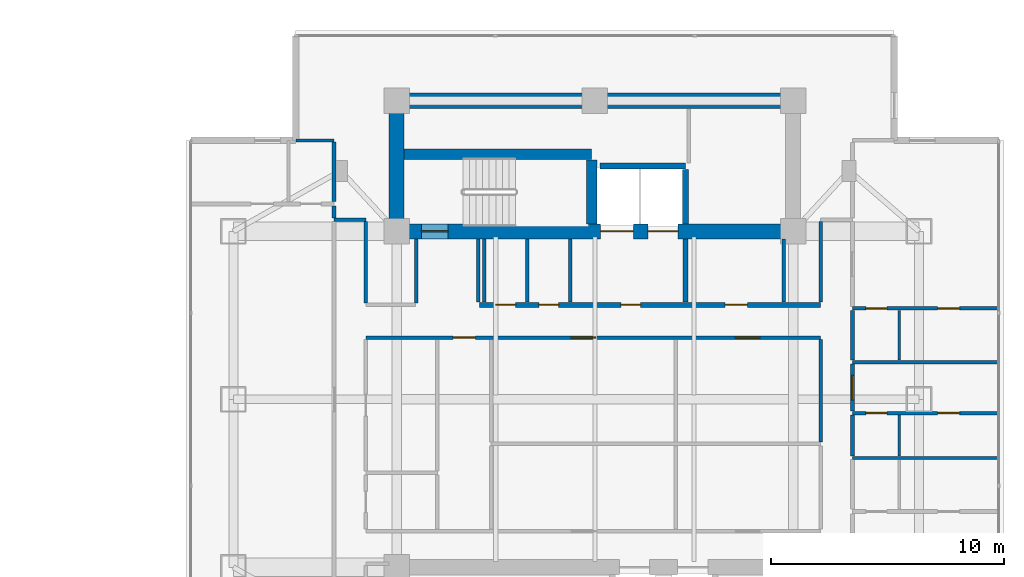
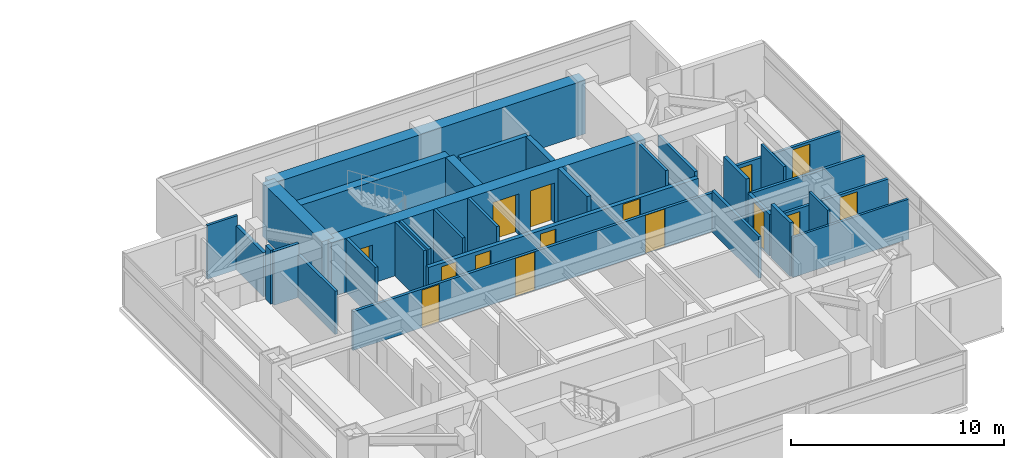
# One storey, part 19 of 27: 32 walls, 15 doors, 15 openings.
"""IFC4 building model written with IfcOpenShell, lengths in metres."""

from ifc_helpers import new_model, si_unit, direction, frame, frame_2d, origin, place, context, subcontext, project, spatial, rectangle, extrude, material, layer, layer_set, type_object, element, fill, save


model = new_model("IFC4")

# Units and contexts
model_context = context("Model", 3, precision=1e-05, world=origin(), true_north=direction((0.0, 1.0)))
body_context = subcontext(model_context, "Body", "Model", "MODEL_VIEW")
ifc_project = project(units=[si_unit("LENGTHUNIT", "METRE"), si_unit("AREAUNIT", "SQUARE_METRE"), si_unit("VOLUMEUNIT", "CUBIC_METRE"), si_unit("PLANEANGLEUNIT", "RADIAN"), si_unit("MASSUNIT", "GRAM", prefix="KILO")], contexts=[model_context])

# Site, building, storey
site_placement = place(None, origin())
site = spatial("IfcSite", under=ifc_project, at=site_placement, CompositionType="ELEMENT")
building_placement = place(site_placement, origin())
building = spatial("IfcBuilding", under=site, at=building_placement, Name="Mirazonda Arch Towers", CompositionType="ELEMENT")
storey_placement = place(building_placement, frame((0.0, 0.0, 124.699951171875)))
storey = spatial("IfcBuildingStorey", under=building, at=storey_placement, Name="L35", CompositionType="ELEMENT", Elevation=124.699951171875)

# Walls
ifc_material_1 = material(Name="Concrete C50/60", Category="concrete")
ifc_layer_1 = layer(ifc_material_1, 0.449951171875, Name="WALL-CORE-450")
ifc_layer_set_1 = layer_set([ifc_layer_1], Name="Concrete C50/60")
wall_type_1 = type_object("IfcWallType", Name="WALL-CORE-450", PredefinedType="SHEAR", material=ifc_layer_set_1)
wall_1_placement = place(storey_placement, frame((68.320068359375, 38.5, 0.0), z_axis=(0.0, 0.0, 1.0), x_axis=(1.0, 0.0, 0.0)))
element("IfcWall", 1, at=wall_1_placement, inside=storey, type_object=wall_type_1, Name="L35 Stair Core Shear Wall 051", PredefinedType="SHEAR", context=body_context, shape_type="SweptSolid", body=[
    extrude(rectangle(XDim=8.0400390625, YDim=0.449951171875, at=frame_2d((4.02001953125, 0.0))), origin(), (0.0, 0.0, 1.0), 3.080078125),
])
wall_2_placement = place(storey_placement, frame((76.360107421875, 35.52001953125, 0.0), z_axis=(0.0, 0.0, 1.0), x_axis=(0.0, 1.0, 0.0)))
element("IfcWall", 2, at=wall_2_placement, inside=storey, type_object=wall_type_1, Name="L35 Stair Core Shear Wall 132", PredefinedType="SHEAR", context=body_context, shape_type="SweptSolid", body=[
    extrude(rectangle(XDim=2.744873046875, YDim=0.449951171875, at=frame_2d((1.37255859375, 0.0))), origin(), (0.0, 0.0, 1.0), 3.080078125),
])
ifc_material_2 = material(Name="Concrete C60/75", Category="concrete")
ifc_layer_2 = layer(ifc_material_2, 0.64990234375, Name="WALL-CORE-650")
ifc_layer_set_2 = layer_set([ifc_layer_2], Name="Concrete C60/75")
wall_type_2 = type_object("IfcWallType", Name="WALL-CORE-650", PredefinedType="SHEAR", material=ifc_layer_set_2)
wall_3_placement = place(storey_placement, frame((68.0, 40.800048828125, 0.0), z_axis=(0.0, 0.0, 1.0), x_axis=(1.0, 0.0, 0.0)))
element("IfcWall", 3, at=wall_3_placement, inside=storey, type_object=wall_type_2, Name="L35 T2N-N Core Shear Wall", PredefinedType="SHEAR", context=body_context, shape_type="SweptSolid", body=[
    extrude(rectangle(XDim=17.0, YDim=0.64990234375, at=frame_2d((8.5, 0.0))), origin(), (0.0, 0.0, 1.0), 3.080078125),
])
wall_4_placement = place(storey_placement, frame((68.0, 35.199951171875, 0.0), z_axis=(0.0, 0.0, 1.0), x_axis=(0.0, 1.0, 0.0)))
element("IfcWall", 4, at=wall_4_placement, inside=storey, type_object=wall_type_2, Name="L35 T2N-W Core Shear Wall", PredefinedType="SHEAR", context=body_context, shape_type="SweptSolid", body=[
    extrude(rectangle(XDim=5.60009765625, YDim=0.64990234375, at=frame_2d((2.800048828125, 0.0))), origin(), (0.0, 0.0, 1.0), 3.080078125),
])

# Wall, openings, doors
wall_5_placement = place(storey_placement, frame((68.0, 35.199951171875, 0.0), z_axis=(0.0, 0.0, 1.0), x_axis=(1.0, 0.0, 0.0)))
wall_5 = element("IfcWall", 5, at=wall_5_placement, inside=storey, type_object=wall_type_2, Name="L35 T2N-S Core Shear Wall", PredefinedType="SHEAR", context=body_context, shape_type="SweptSolid", body=[
    extrude(rectangle(XDim=17.0, YDim=0.64990234375, at=frame_2d((8.5, 0.0))), origin(), (0.0, 0.0, 1.0), 3.080078125),
])
opening_1_placement = place(wall_5_placement, frame((1.06005859375, 0.0, 0.0)))
opening_1 = element("IfcOpeningElement", 6, at=opening_1_placement, cuts=wall_5, Name="Opening DR-135", PredefinedType="OPENING", context=body_context, shape_type="SweptSolid", body=[
    extrude(rectangle(XDim=1.14990234375, YDim=2.199951171875, at=frame_2d((0.574951171875, 1.10009765625))), frame((0.0, 0.3349609375, 0.0), z_axis=(0.0, -1.0, 0.0), x_axis=(1.0, 0.0, 0.0)), (0.0, 0.0, 1.0), 0.669921875),
])
opening_2_placement = place(wall_5_placement, frame((8.75, 0.0, 0.0)))
opening_2 = element("IfcOpeningElement", 7, at=opening_2_placement, cuts=wall_5, Name="Opening LD-112", PredefinedType="OPENING", context=body_context, shape_type="SweptSolid", body=[
    extrude(rectangle(XDim=1.39990234375, YDim=2.35009765625, at=frame_2d((0.699951171875, 1.175048828125))), frame((0.0, 0.3349609375, 0.0), z_axis=(0.0, -1.0, 0.0), x_axis=(1.0, 0.0, 0.0)), (0.0, 0.0, 1.0), 0.669921875),
])
opening_3_placement = place(wall_5_placement, frame((10.77001953125, 0.0, 0.0)))
opening_3 = element("IfcOpeningElement", 8, at=opening_3_placement, cuts=wall_5, Name="Opening LD-111", PredefinedType="OPENING", context=body_context, shape_type="SweptSolid", body=[
    extrude(rectangle(XDim=1.300048828125, YDim=2.300048828125, at=frame_2d((0.64990234375, 1.14990234375))), frame((0.0, 0.3349609375, 0.0), z_axis=(0.0, -1.0, 0.0), x_axis=(1.0, 0.0, 0.0)), (0.0, 0.0, 1.0), 0.669921875),
])
ifc_material_3 = material(Name="Architectural Brushed Steel S355", Category="steel")
door_type_1 = type_object("IfcDoorType", Name="DOOR-LIFT-FFL-1400", OperationType="NOTDEFINED", PredefinedType="DOOR", material=ifc_material_3)
door_1_placement = place(opening_2_placement, origin())
door_1 = element("IfcDoor", 9, at=door_1_placement, inside=storey, type_object=door_type_1, Name="L35 Lift Landing Sliding Door FFL-T2", OperationType="DOUBLE_DOOR_SLIDING", OverallHeight=2.35009765625, OverallWidth=1.39990234375, PredefinedType="DOOR", context=body_context, shape_type="SweptSolid", body=[
    extrude(rectangle(XDim=1.39990234375, YDim=2.35009765625, at=frame_2d((0.699951171875, 1.175048828125))), frame((0.0, 0.02490234375, 0.0), z_axis=(0.0, -1.0, 0.0), x_axis=(1.0, 0.0, 0.0)), (0.0, 0.0, 1.0), 0.050048828125),
])
fill(opening_2, door_1)
door_type_2 = type_object("IfcDoorType", Name="DOOR-LIFT-LAND-1300", OperationType="NOTDEFINED", PredefinedType="DOOR", material=ifc_material_3)
door_2_placement = place(opening_3_placement, origin())
door_2 = element("IfcDoor", 10, at=door_2_placement, inside=storey, type_object=door_type_2, Name="L35 Lift Landing Sliding Door SVL-T2", OperationType="DOUBLE_DOOR_SLIDING", OverallHeight=2.300048828125, OverallWidth=1.300048828125, PredefinedType="DOOR", context=body_context, shape_type="SweptSolid", body=[
    extrude(rectangle(XDim=1.300048828125, YDim=2.300048828125, at=frame_2d((0.64990234375, 1.14990234375))), frame((0.0, 0.02490234375, 0.0), z_axis=(0.0, -1.0, 0.0), x_axis=(1.0, 0.0, 0.0)), (0.0, 0.0, 1.0), 0.050048828125),
])
fill(opening_3, door_2)
door_type_3 = type_object("IfcDoorType", Name="DOOR-STAIR-FD90-1150", OperationType="NOTDEFINED", PredefinedType="DOOR", material=ifc_material_3)
door_3_placement = place(opening_1_placement, origin())
door_3 = element("IfcDoor", 11, at=door_3_placement, inside=storey, type_object=door_type_3, Name="L35 East Protected Stair North Door", OperationType="SINGLE_SWING_RIGHT", OverallHeight=2.199951171875, OverallWidth=1.14990234375, PredefinedType="DOOR", context=body_context, shape_type="SweptSolid", body=[
    extrude(rectangle(XDim=1.14990234375, YDim=2.199951171875, at=frame_2d((0.574951171875, 1.10009765625))), frame((0.0, 0.02490234375, 0.0), z_axis=(0.0, -1.0, 0.0), x_axis=(1.0, 0.0, 0.0)), (0.0, 0.0, 1.0), 0.050048828125),
])
fill(opening_1, door_3)

ifc_material_4 = material(Name="Concrete C40/50", Category="concrete")
ifc_layer_3 = layer(ifc_material_4, 0.219970703125, Name="WALL-FFL-220")
ifc_layer_set_3 = layer_set([ifc_layer_3], Name="Concrete C40/50")
wall_type_3 = type_object("IfcWallType", Name="WALL-FFL-220", PredefinedType="SOLIDWALL", material=ifc_layer_set_3)
wall_6_placement = place(storey_placement, frame((71.550048828125, 32.050048828125, 0.0), z_axis=(0.0, 0.0, 1.0), x_axis=(1.0, 0.0, 0.0)))
wall_6 = element("IfcWall", 12, at=wall_6_placement, inside=storey, type_object=wall_type_3, Name="L35 Interior Partition 042", PredefinedType="SOLIDWALL", context=body_context, shape_type="SweptSolid", body=[
    extrude(rectangle(XDim=14.6298828125, YDim=0.219970703125, at=frame_2d((7.31494140625, 0.0))), origin(), (0.0, 0.0, 1.0), 2.216064453125),
])
opening_4_placement = place(wall_6_placement, frame((6.06494140625, 0.0, 0.0)))
opening_4 = element("IfcOpeningElement", 13, at=opening_4_placement, cuts=wall_6, Name="Opening DR-128", PredefinedType="OPENING", context=body_context, shape_type="SweptSolid", body=[
    extrude(rectangle(XDim=0.85009765625, YDim=2.010009765625, at=frame_2d((0.425048828125, 1.0048828125))), frame((0.0, 0.119873046875, 0.0), z_axis=(0.0, -1.0, 0.0), x_axis=(1.0, 0.0, 0.0)), (0.0, 0.0, 1.0), 0.239990234375),
])
opening_5_placement = place(wall_6_placement, frame((10.534912109375, 0.0, 0.0)))
opening_5 = element("IfcOpeningElement", 14, at=opening_5_placement, cuts=wall_6, Name="Opening DR-104", PredefinedType="OPENING", context=body_context, shape_type="SweptSolid", body=[
    extrude(rectangle(XDim=0.949951171875, YDim=2.14990234375, at=frame_2d((0.47509765625, 1.074951171875))), frame((0.0, 0.119873046875, 0.0), z_axis=(0.0, -1.0, 0.0), x_axis=(1.0, 0.0, 0.0)), (0.0, 0.0, 1.0), 0.239990234375),
])
opening_6_placement = place(wall_6_placement, frame((0.699951171875, 0.0, 0.0)))
opening_6 = element("IfcOpeningElement", 15, at=opening_6_placement, cuts=wall_6, Name="Opening DR-128", PredefinedType="OPENING", context=body_context, shape_type="SweptSolid", body=[
    extrude(rectangle(XDim=0.85009765625, YDim=2.010009765625, at=frame_2d((0.425048828125, 1.0048828125))), frame((0.0, 0.119873046875, 0.0), z_axis=(0.0, -1.0, 0.0), x_axis=(1.0, 0.0, 0.0)), (0.0, 0.0, 1.0), 0.239990234375),
])
opening_7_placement = place(wall_6_placement, frame((2.550048828125, 0.0, 0.0)))
opening_7 = element("IfcOpeningElement", 16, at=opening_7_placement, cuts=wall_6, Name="Opening DR-128", PredefinedType="OPENING", context=body_context, shape_type="SweptSolid", body=[
    extrude(rectangle(XDim=0.85009765625, YDim=2.010009765625, at=frame_2d((0.425048828125, 1.0048828125))), frame((0.0, 0.119873046875, 0.0), z_axis=(0.0, -1.0, 0.0), x_axis=(1.0, 0.0, 0.0)), (0.0, 0.0, 1.0), 0.239990234375),
])
door_type_4 = type_object("IfcDoorType", Name="DOOR-RISER-FD60-850", OperationType="NOTDEFINED", PredefinedType="DOOR", material=ifc_material_3)
door_4_placement = place(opening_4_placement, origin())
door_4 = element("IfcDoor", 17, at=door_4_placement, inside=storey, type_object=door_type_4, Name="L35 East Firefighting Lift Lobby Door", OperationType="SINGLE_SWING_LEFT", OverallHeight=2.010009765625, OverallWidth=0.85009765625, PredefinedType="DOOR", context=body_context, shape_type="SweptSolid", body=[
    extrude(rectangle(XDim=0.85009765625, YDim=2.010009765625, at=frame_2d((0.425048828125, 1.0048828125))), frame((0.0, 0.02490234375, 0.0), z_axis=(0.0, -1.0, 0.0), x_axis=(1.0, 0.0, 0.0)), (0.0, 0.0, 1.0), 0.050048828125),
])
fill(opening_4, door_4)
door_5_placement = place(opening_6_placement, origin())
door_5 = element("IfcDoor", 18, at=door_5_placement, inside=storey, type_object=door_type_4, Name="L35 Tower 2 Electrical Room Door", OperationType="SINGLE_SWING_LEFT", OverallHeight=2.010009765625, OverallWidth=0.85009765625, PredefinedType="DOOR", context=body_context, shape_type="SweptSolid", body=[
    extrude(rectangle(XDim=0.85009765625, YDim=2.010009765625, at=frame_2d((0.425048828125, 1.0048828125))), frame((0.0, 0.02490234375, 0.0), z_axis=(0.0, -1.0, 0.0), x_axis=(1.0, 0.0, 0.0)), (0.0, 0.0, 1.0), 0.050048828125),
])
fill(opening_6, door_5)
door_6_placement = place(opening_7_placement, origin())
door_6 = element("IfcDoor", 19, at=door_6_placement, inside=storey, type_object=door_type_4, Name="L35 Tower 2 Cleaners Store Door", OperationType="SINGLE_SWING_RIGHT", OverallHeight=2.010009765625, OverallWidth=0.85009765625, PredefinedType="DOOR", context=body_context, shape_type="SweptSolid", body=[
    extrude(rectangle(XDim=0.85009765625, YDim=2.010009765625, at=frame_2d((0.425048828125, 1.0048828125))), frame((0.0, 0.02490234375, 0.0), z_axis=(0.0, -1.0, 0.0), x_axis=(1.0, 0.0, 0.0)), (0.0, 0.0, 1.0), 0.050048828125),
])
fill(opening_7, door_6)
door_type_5 = type_object("IfcDoorType", Name="DOOR-ROOM-950", OperationType="NOTDEFINED", PredefinedType="DOOR", material=ifc_material_3)
door_7_placement = place(opening_5_placement, origin())
door_7 = element("IfcDoor", 20, at=door_7_placement, inside=storey, type_object=door_type_5, Name="L35 East Sky Reading Library Door", OperationType="SINGLE_SWING_RIGHT", OverallHeight=2.14990234375, OverallWidth=0.949951171875, PredefinedType="DOOR", context=body_context, shape_type="SweptSolid", body=[
    extrude(rectangle(XDim=0.949951171875, YDim=2.14990234375, at=frame_2d((0.47509765625, 1.074951171875))), frame((0.0, 0.02490234375, 0.0), z_axis=(0.0, -1.0, 0.0), x_axis=(1.0, 0.0, 0.0)), (0.0, 0.0, 1.0), 0.050048828125),
])
fill(opening_5, door_7)

# Wall
wall_7_placement = place(storey_placement, frame((80.3798828125, 32.169921875, 0.0), z_axis=(0.0, 0.0, 1.0), x_axis=(0.0, 1.0, 0.0)))
element("IfcWall", 21, at=wall_7_placement, inside=storey, type_object=wall_type_3, Name="L35 Interior Partition 136", PredefinedType="SOLIDWALL", context=body_context, shape_type="SweptSolid", body=[
    extrude(rectangle(XDim=2.7099609375, YDim=0.219970703125, at=frame_2d((1.35498046875, 0.0))), origin(), (0.0, 0.0, 1.0), 3.080078125),
])

# Wall, openings, doors
ifc_material_5 = material(Name="Fire-Rated Gypsum Stud Partition")
ifc_layer_4 = layer(ifc_material_5, 0.14990234375, Name="WALL-PART-CORR-150")
ifc_layer_set_4 = layer_set([ifc_layer_4], Name="Fire-Rated Gypsum Stud Partition")
wall_type_4 = type_object("IfcWallType", Name="WALL-PART-CORR-150", PredefinedType="PARTITIONING", material=ifc_layer_set_4)
wall_8_placement = place(storey_placement, frame((87.5400390625, 27.412109375, 0.0), z_axis=(0.0, 0.0, 1.0), x_axis=(1.0, 0.0, 0.0)))
wall_8 = element("IfcWall", 22, at=wall_8_placement, inside=storey, type_object=wall_type_4, Name="L35 Interior Partition 034", PredefinedType="PARTITIONING", context=body_context, shape_type="SweptSolid", body=[
    extrude(rectangle(XDim=6.281005859375, YDim=0.14990234375, at=frame_2d((3.140625, 0.0))), origin(), (0.0, 0.0, 1.0), 2.299072265625),
])
opening_8_placement = place(wall_8_placement, frame((3.650390625, 0.0, 0.0)))
opening_8 = element("IfcOpeningElement", 23, at=opening_8_placement, cuts=wall_8, Name="Opening DR-104", PredefinedType="OPENING", context=body_context, shape_type="SweptSolid", body=[
    extrude(rectangle(XDim=0.949951171875, YDim=2.14990234375, at=frame_2d((0.47509765625, 1.074951171875))), frame((0.0, 0.0849609375, 0.0), z_axis=(0.0, -1.0, 0.0), x_axis=(1.0, 0.0, 0.0)), (0.0, 0.0, 1.0), 0.169921875),
])
opening_9_placement = place(wall_8_placement, frame((0.574951171875, 0.0, 0.0)))
opening_9 = element("IfcOpeningElement", 24, at=opening_9_placement, cuts=wall_8, Name="Opening DR-120", PredefinedType="OPENING", context=body_context, shape_type="SweptSolid", body=[
    extrude(rectangle(XDim=0.89990234375, YDim=2.10009765625, at=frame_2d((0.449951171875, 1.050048828125))), frame((0.0, 0.0849609375, 0.0), z_axis=(0.0, -1.0, 0.0), x_axis=(1.0, 0.0, 0.0)), (0.0, 0.0, 1.0), 0.169921875),
])
door_8_placement = place(opening_8_placement, origin())
door_8 = element("IfcDoor", 25, at=door_8_placement, inside=storey, type_object=door_type_5, Name="L35 Guestroom Study 2 Door", OperationType="SINGLE_SWING_RIGHT", OverallHeight=2.14990234375, OverallWidth=0.949951171875, PredefinedType="DOOR", context=body_context, shape_type="SweptSolid", body=[
    extrude(rectangle(XDim=0.949951171875, YDim=2.14990234375, at=frame_2d((0.47509765625, 1.074951171875))), frame((0.0, 0.02490234375, 0.0), z_axis=(0.0, -1.0, 0.0), x_axis=(1.0, 0.0, 0.0)), (0.0, 0.0, 1.0), 0.050048828125),
])
fill(opening_8, door_8)
door_type_6 = type_object("IfcDoorType", Name="DOOR-WC-900", OperationType="NOTDEFINED", PredefinedType="DOOR", material=ifc_material_3)
door_9_placement = place(opening_9_placement, origin())
door_9 = element("IfcDoor", 26, at=door_9_placement, inside=storey, type_object=door_type_6, Name="L35 En-Suite Bathroom 2 Door", OperationType="SINGLE_SWING_LEFT", OverallHeight=2.10009765625, OverallWidth=0.89990234375, PredefinedType="DOOR", context=body_context, shape_type="SweptSolid", body=[
    extrude(rectangle(XDim=0.89990234375, YDim=2.10009765625, at=frame_2d((0.449951171875, 1.050048828125))), frame((0.0, 0.02490234375, 0.0), z_axis=(0.0, -1.0, 0.0), x_axis=(1.0, 0.0, 0.0)), (0.0, 0.0, 1.0), 0.050048828125),
])
fill(opening_9, door_9)

# Wall
wall_9_placement = place(storey_placement, frame((87.5400390625, 29.595947265625, 0.0), z_axis=(0.0, 0.0, 1.0), x_axis=(1.0, 0.0, 0.0)))
element("IfcWall", 27, at=wall_9_placement, inside=storey, type_object=wall_type_4, Name="L35 Interior Partition 037", PredefinedType="PARTITIONING", context=body_context, shape_type="SweptSolid", body=[
    extrude(rectangle(XDim=6.281005859375, YDim=0.14990234375, at=frame_2d((3.140625, 0.0))), origin(), (0.0, 0.0, 1.0), 2.299072265625),
])

# Wall, openings, doors
wall_10_placement = place(storey_placement, frame((66.679931640625, 30.64990234375, 0.0), z_axis=(0.0, 0.0, 1.0), x_axis=(1.0, 0.0, 0.0)))
wall_10 = element("IfcWall", 28, at=wall_10_placement, inside=storey, type_object=wall_type_4, Name="L35 Interior Partition 038", PredefinedType="PARTITIONING", context=body_context, shape_type="SweptSolid", body=[
    extrude(rectangle(XDim=19.5, YDim=0.14990234375, at=frame_2d((9.75, 0.0))), origin(), (0.0, 0.0, 1.0), 2.216064453125),
])
opening_10_placement = place(wall_10_placement, frame((3.7451171875, 0.0, 0.0)))
opening_10 = element("IfcOpeningElement", 29, at=opening_10_placement, cuts=wall_10, Name="Opening DR-104", PredefinedType="OPENING", context=body_context, shape_type="SweptSolid", body=[
    extrude(rectangle(XDim=0.949951171875, YDim=2.14990234375, at=frame_2d((0.47509765625, 1.074951171875))), frame((0.0, 0.0849609375, 0.0), z_axis=(0.0, -1.0, 0.0), x_axis=(1.0, 0.0, 0.0)), (0.0, 0.0, 1.0), 0.169921875),
])
opening_11_placement = place(wall_10_placement, frame((8.801513671875, 0.0, 0.0)))
opening_11 = element("IfcOpeningElement", 30, at=opening_11_placement, cuts=wall_10, Name="Opening DR-121", PredefinedType="OPENING", context=body_context, shape_type="SweptSolid", body=[
    extrude(rectangle(XDim=1.050048828125, YDim=2.199951171875, at=frame_2d((0.52490234375, 1.10009765625))), frame((0.0, 0.0849609375, 0.0), z_axis=(0.0, -1.0, 0.0), x_axis=(1.0, 0.0, 0.0)), (0.0, 0.0, 1.0), 0.169921875),
])
opening_12_placement = place(wall_10_placement, frame((15.846435546875, 0.0, 0.0)))
opening_12 = element("IfcOpeningElement", 31, at=opening_12_placement, cuts=wall_10, Name="Opening DR-121", PredefinedType="OPENING", context=body_context, shape_type="SweptSolid", body=[
    extrude(rectangle(XDim=1.050048828125, YDim=2.199951171875, at=frame_2d((0.52490234375, 1.10009765625))), frame((0.0, 0.0849609375, 0.0), z_axis=(0.0, -1.0, 0.0), x_axis=(1.0, 0.0, 0.0)), (0.0, 0.0, 1.0), 0.169921875),
])
door_10_placement = place(opening_10_placement, origin())
door_10 = element("IfcDoor", 32, at=door_10_placement, inside=storey, type_object=door_type_5, Name="L35 L35 East Courtyard Study Door", OperationType="SINGLE_SWING_RIGHT", OverallHeight=2.14990234375, OverallWidth=0.949951171875, PredefinedType="DOOR", context=body_context, shape_type="SweptSolid", body=[
    extrude(rectangle(XDim=0.949951171875, YDim=2.14990234375, at=frame_2d((0.47509765625, 1.074951171875))), frame((0.0, 0.02490234375, 0.0), z_axis=(0.0, -1.0, 0.0), x_axis=(1.0, 0.0, 0.0)), (0.0, 0.0, 1.0), 0.050048828125),
])
fill(opening_10, door_10)
door_type_7 = type_object("IfcDoorType", Name="DOOR-SUITE-FD60-1050", OperationType="NOTDEFINED", PredefinedType="DOOR", material=ifc_material_3)
door_11_placement = place(opening_11_placement, origin())
door_11 = element("IfcDoor", 33, at=door_11_placement, inside=storey, type_object=door_type_7, Name="L35 Concierge Salon Door", OperationType="SINGLE_SWING_LEFT", OverallHeight=2.199951171875, OverallWidth=1.050048828125, PredefinedType="DOOR", context=body_context, shape_type="SweptSolid", body=[
    extrude(rectangle(XDim=1.050048828125, YDim=2.199951171875, at=frame_2d((0.52490234375, 1.10009765625))), frame((0.0, 0.02490234375, 0.0), z_axis=(0.0, -1.0, 0.0), x_axis=(1.0, 0.0, 0.0)), (0.0, 0.0, 1.0), 0.050048828125),
])
fill(opening_11, door_11)
door_12_placement = place(opening_12_placement, origin())
door_12 = element("IfcDoor", 34, at=door_12_placement, inside=storey, type_object=door_type_7, Name="L35 Private Meeting Suite Door", OperationType="SINGLE_SWING_RIGHT", OverallHeight=2.199951171875, OverallWidth=1.050048828125, PredefinedType="DOOR", context=body_context, shape_type="SweptSolid", body=[
    extrude(rectangle(XDim=1.050048828125, YDim=2.199951171875, at=frame_2d((0.52490234375, 1.10009765625))), frame((0.0, 0.02490234375, 0.0), z_axis=(0.0, -1.0, 0.0), x_axis=(1.0, 0.0, 0.0)), (0.0, 0.0, 1.0), 0.050048828125),
])
fill(opening_12, door_12)

wall_11_placement = place(storey_placement, frame((87.5400390625, 31.89599609375, 0.0), z_axis=(0.0, 0.0, 1.0), x_axis=(1.0, 0.0, 0.0)))
wall_11 = element("IfcWall", 35, at=wall_11_placement, inside=storey, type_object=wall_type_4, Name="L35 Interior Partition 040", PredefinedType="PARTITIONING", context=body_context, shape_type="SweptSolid", body=[
    extrude(rectangle(XDim=6.281005859375, YDim=0.14990234375, at=frame_2d((3.140625, 0.0))), origin(), (0.0, 0.0, 1.0), 2.299072265625),
])
opening_13_placement = place(wall_11_placement, frame((3.650390625, 0.0, 0.0)))
opening_13 = element("IfcOpeningElement", 36, at=opening_13_placement, cuts=wall_11, Name="Opening DR-104", PredefinedType="OPENING", context=body_context, shape_type="SweptSolid", body=[
    extrude(rectangle(XDim=0.949951171875, YDim=2.14990234375, at=frame_2d((0.47509765625, 1.074951171875))), frame((0.0, 0.0849609375, 0.0), z_axis=(0.0, -1.0, 0.0), x_axis=(1.0, 0.0, 0.0)), (0.0, 0.0, 1.0), 0.169921875),
])
opening_14_placement = place(wall_11_placement, frame((0.574951171875, 0.0, 0.0)))
opening_14 = element("IfcOpeningElement", 37, at=opening_14_placement, cuts=wall_11, Name="Opening DR-120", PredefinedType="OPENING", context=body_context, shape_type="SweptSolid", body=[
    extrude(rectangle(XDim=0.89990234375, YDim=2.10009765625, at=frame_2d((0.449951171875, 1.050048828125))), frame((0.0, 0.0849609375, 0.0), z_axis=(0.0, -1.0, 0.0), x_axis=(1.0, 0.0, 0.0)), (0.0, 0.0, 1.0), 0.169921875),
])
door_13_placement = place(opening_13_placement, origin())
door_13 = element("IfcDoor", 38, at=door_13_placement, inside=storey, type_object=door_type_5, Name="L35 Guestroom Study 3 Door", OperationType="SINGLE_SWING_LEFT", OverallHeight=2.14990234375, OverallWidth=0.949951171875, PredefinedType="DOOR", context=body_context, shape_type="SweptSolid", body=[
    extrude(rectangle(XDim=0.949951171875, YDim=2.14990234375, at=frame_2d((0.47509765625, 1.074951171875))), frame((0.0, 0.02490234375, 0.0), z_axis=(0.0, -1.0, 0.0), x_axis=(1.0, 0.0, 0.0)), (0.0, 0.0, 1.0), 0.050048828125),
])
fill(opening_13, door_13)
door_14_placement = place(opening_14_placement, origin())
door_14 = element("IfcDoor", 39, at=door_14_placement, inside=storey, type_object=door_type_6, Name="L35 En-Suite Bathroom 3 Door", OperationType="SINGLE_SWING_RIGHT", OverallHeight=2.10009765625, OverallWidth=0.89990234375, PredefinedType="DOOR", context=body_context, shape_type="SweptSolid", body=[
    extrude(rectangle(XDim=0.89990234375, YDim=2.10009765625, at=frame_2d((0.449951171875, 1.050048828125))), frame((0.0, 0.02490234375, 0.0), z_axis=(0.0, -1.0, 0.0), x_axis=(1.0, 0.0, 0.0)), (0.0, 0.0, 1.0), 0.050048828125),
])
fill(opening_14, door_14)

# Walls
wall_12_placement = place(storey_placement, frame((65.320068359375, 35.699951171875, 0.0), z_axis=(0.0, 0.0, 1.0), x_axis=(1.0, 0.0, 0.0)))
element("IfcWall", 40, at=wall_12_placement, inside=storey, type_object=wall_type_4, Name="L35 Interior Partition 047", PredefinedType="PARTITIONING", context=body_context, shape_type="SweptSolid", body=[
    extrude(rectangle(XDim=1.35986328125, YDim=0.14990234375, at=frame_2d((0.679931640625, 0.0))), origin(), (0.0, 0.0, 1.0), 3.080078125),
])
wall_13_placement = place(storey_placement, frame((66.679931640625, 32.135009765625, 0.0), z_axis=(0.0, 0.0, 1.0), x_axis=(0.0, 1.0, 0.0)))
element("IfcWall", 41, at=wall_13_placement, inside=storey, type_object=wall_type_4, Name="L35 Interior Partition 121", PredefinedType="PARTITIONING", context=body_context, shape_type="SweptSolid", body=[
    extrude(rectangle(XDim=3.47998046875, YDim=0.14990234375, at=frame_2d((1.739990234375, 0.0))), origin(), (0.0, 0.0, 1.0), 2.47216796875),
])
wall_14_placement = place(storey_placement, frame((68.85009765625, 32.135009765625, 0.0), z_axis=(0.0, 0.0, 1.0), x_axis=(0.0, 1.0, 0.0)))
element("IfcWall", 42, at=wall_14_placement, inside=storey, type_object=wall_type_4, Name="L35 Interior Partition 122", PredefinedType="PARTITIONING", context=body_context, shape_type="SweptSolid", body=[
    extrude(rectangle(XDim=2.744873046875, YDim=0.14990234375, at=frame_2d((1.37255859375, 0.0))), origin(), (0.0, 0.0, 1.0), 3.080078125),
])
for number, where, z_axis, x_axis, name in (
    (43, (71.5, 32.169921875, 0.0), (0.0, 0.0, 1.0), (0.0, 1.0, 0.0), "L35 Interior Partition 125"),
    (44, (71.75, 32.169921875, 0.0), (0.0, 0.0, 1.0), (0.0, 1.0, 0.0), "L35 Interior Partition 126"),
    (45, (73.60009765625, 32.169921875, 0.0), (0.0, 0.0, 1.0), (0.0, 1.0, 0.0), "L35 Interior Partition 129"),
    (46, (75.449951171875, 32.169921875, 0.0), (0.0, 0.0, 1.0), (0.0, 1.0, 0.0), "L35 Interior Partition 130"),
    (47, (84.60009765625, 32.169921875, 0.0), (0.0, 0.0, 1.0), (0.0, 1.0, 0.0), "L35 Interior Partition 140"),
):
    element("IfcWall", number, at=place(storey_placement, frame(where, z_axis=z_axis, x_axis=x_axis)), inside=storey, type_object=wall_type_4, Name=name, PredefinedType="PARTITIONING", context=body_context, shape_type="SweptSolid", body=[
        extrude(rectangle(XDim=2.7099609375, YDim=0.14990234375, at=frame_2d((1.35498046875, 0.0))), origin(), (0.0, 0.0, 1.0), 3.080078125),
    ])
wall_15_placement = place(storey_placement, frame((86.179931640625, 26.169921875, 0.0), z_axis=(0.0, 0.0, 1.0), x_axis=(0.0, 1.0, 0.0)))
element("IfcWall", 48, at=wall_15_placement, inside=storey, type_object=wall_type_4, Name="L35 Interior Partition 143", PredefinedType="PARTITIONING", context=body_context, shape_type="SweptSolid", body=[
    extrude(rectangle(XDim=4.39501953125, YDim=0.14990234375, at=frame_2d((2.197509765625, 0.0))), origin(), (0.0, 0.0, 1.0), 2.3759765625),
])
wall_16_placement = place(storey_placement, frame((86.179931640625, 32.169921875, 0.0), z_axis=(0.0, 0.0, 1.0), x_axis=(0.0, 1.0, 0.0)))
element("IfcWall", 49, at=wall_16_placement, inside=storey, type_object=wall_type_4, Name="L35 Interior Partition 144", PredefinedType="PARTITIONING", context=body_context, shape_type="SweptSolid", body=[
    extrude(rectangle(XDim=3.445068359375, YDim=0.14990234375, at=frame_2d((1.72265625, 0.0))), origin(), (0.0, 0.0, 1.0), 2.47216796875),
])
ifc_material_6 = material(Name="Fire-Rated Gypsum Twin-Stud Assembly")
ifc_layer_5 = layer(ifc_material_6, 0.179931640625, Name="WALL-PART-DEMISE-180")
ifc_layer_set_5 = layer_set([ifc_layer_5], Name="Fire-Rated Gypsum Twin-Stud Assembly")
wall_type_5 = type_object("IfcWallType", Name="WALL-PART-DEMISE-180", PredefinedType="PARTITIONING", material=ifc_layer_set_5)
wall_17_placement = place(storey_placement, frame((65.320068359375, 35.784912109375, 0.0), z_axis=(0.0, 0.0, 1.0), x_axis=(0.0, 1.0, 0.0)))
element("IfcWall", 50, at=wall_17_placement, inside=storey, type_object=wall_type_5, Name="L35 Interior Partition 116", PredefinedType="PARTITIONING", context=body_context, shape_type="SweptSolid", body=[
    extrude(rectangle(XDim=0.494140625, YDim=0.179931640625, at=frame_2d((0.2470703125, 0.0))), origin(), (0.0, 0.0, 1.0), 3.080078125),
])
wall_18_placement = place(storey_placement, frame((65.320068359375, 36.47900390625, 0.0), z_axis=(0.0, 0.0, 1.0), x_axis=(0.0, 1.0, 0.0)))
element("IfcWall", 51, at=wall_18_placement, inside=storey, type_object=wall_type_5, Name="L35 Interior Partition 117", PredefinedType="PARTITIONING", context=body_context, shape_type="SweptSolid", body=[
    extrude(rectangle(XDim=2.547607421875, YDim=0.179931640625, at=frame_2d((1.27392578125, 0.0))), origin(), (0.0, 0.0, 1.0), 2.52294921875),
])
wall_19_placement = place(storey_placement, frame((87.5400390625, 25.564453125, 0.0), z_axis=(0.0, 0.0, 1.0), x_axis=(0.0, 1.0, 0.0)))
element("IfcWall", 52, at=wall_19_placement, inside=storey, type_object=wall_type_5, Name="L35 Interior Partition 148", PredefinedType="PARTITIONING", context=body_context, shape_type="SweptSolid", body=[
    extrude(rectangle(XDim=1.762451171875, YDim=0.179931640625, at=frame_2d((0.88134765625, 0.0))), origin(), (0.0, 0.0, 1.0), 3.080078125),
])

# Wall, opening, door
wall_20_placement = place(storey_placement, frame((87.5400390625, 27.4970703125, 0.0), z_axis=(0.0, 0.0, 1.0), x_axis=(0.0, 1.0, 0.0)))
wall_20 = element("IfcWall", 53, at=wall_20_placement, inside=storey, type_object=wall_type_5, Name="L35 Interior Partition 149", PredefinedType="PARTITIONING", context=body_context, shape_type="SweptSolid", body=[
    extrude(rectangle(XDim=2.013916015625, YDim=0.179931640625, at=frame_2d((1.0068359375, 0.0))), origin(), (0.0, 0.0, 1.0), 2.3759765625),
])
opening_15_placement = place(wall_20_placement, frame((0.48193359375, 0.0, 0.0)))
opening_15 = element("IfcOpeningElement", 54, at=opening_15_placement, cuts=wall_20, Name="Opening DR-121", PredefinedType="OPENING", context=body_context, shape_type="SweptSolid", body=[
    extrude(rectangle(XDim=1.050048828125, YDim=2.199951171875, at=frame_2d((0.52490234375, 1.10009765625))), frame((0.0, 0.099853515625, 0.0), z_axis=(0.0, -1.0, 0.0), x_axis=(1.0, 0.0, 0.0)), (0.0, 0.0, 1.0), 0.199951171875),
])
door_15_placement = place(opening_15_placement, origin())
door_15 = element("IfcDoor", 55, at=door_15_placement, inside=storey, type_object=door_type_7, Name="L35 Twin Hotel Guestroom 2 Door", OperationType="SINGLE_SWING_LEFT", OverallHeight=2.199951171875, OverallWidth=1.050048828125, PredefinedType="DOOR", context=body_context, shape_type="SweptSolid", body=[
    extrude(rectangle(XDim=1.050048828125, YDim=2.199951171875, at=frame_2d((0.52490234375, 1.10009765625))), frame((0.0, 0.02490234375, 0.0), z_axis=(0.0, -1.0, 0.0), x_axis=(1.0, 0.0, 0.0)), (0.0, 0.0, 1.0), 0.050048828125),
])
fill(opening_15, door_15)

# Walls
wall_21_placement = place(storey_placement, frame((87.5400390625, 29.680908203125, 0.0), z_axis=(0.0, 0.0, 1.0), x_axis=(0.0, 1.0, 0.0)))
element("IfcWall", 56, at=wall_21_placement, inside=storey, type_object=wall_type_5, Name="L35 Interior Partition 150", PredefinedType="PARTITIONING", context=body_context, shape_type="SweptSolid", body=[
    extrude(rectangle(XDim=2.130126953125, YDim=0.179931640625, at=frame_2d((1.06494140625, 0.0))), origin(), (0.0, 0.0, 1.0), 3.080078125),
])
ifc_material_7 = material(Name="Acoustic Fire-Rated Gypsum Partition")
ifc_layer_6 = layer(ifc_material_7, 0.125, Name="WALL-PART-UNIT-125")
ifc_layer_set_6 = layer_set([ifc_layer_6], Name="Acoustic Fire-Rated Gypsum Partition")
wall_type_6 = type_object("IfcWallType", Name="WALL-PART-UNIT-125", PredefinedType="PARTITIONING", material=ifc_layer_set_6)
wall_22_placement = place(storey_placement, frame((87.5400390625, 25.491943359375, 0.0), z_axis=(0.0, 0.0, 1.0), x_axis=(1.0, 0.0, 0.0)))
element("IfcWall", 57, at=wall_22_placement, inside=storey, type_object=wall_type_6, Name="L35 Interior Partition 029", PredefinedType="PARTITIONING", context=body_context, shape_type="SweptSolid", body=[
    extrude(rectangle(XDim=6.281005859375, YDim=0.125, at=frame_2d((3.140625, 0.0))), origin(), (0.0, 0.0, 1.0), 2.299072265625),
])
wall_23_placement = place(storey_placement, frame((63.685546875, 39.09912109375, 0.0), z_axis=(0.0, 0.0, 1.0), x_axis=(1.0, 0.0, 0.0)))
element("IfcWall", 58, at=wall_23_placement, inside=storey, type_object=wall_type_6, Name="L35 Interior Partition 052", PredefinedType="PARTITIONING", context=body_context, shape_type="SweptSolid", body=[
    extrude(rectangle(XDim=1.634521484375, YDim=0.125, at=frame_2d((0.8173828125, 0.0))), origin(), (0.0, 0.0, 1.0), 3.080078125),
])
wall_24_placement = place(storey_placement, frame((89.550048828125, 25.564453125, 0.0), z_axis=(0.0, 0.0, 1.0), x_axis=(0.0, 1.0, 0.0)))
element("IfcWall", 59, at=wall_24_placement, inside=storey, type_object=wall_type_6, Name="L35 Interior Partition 154", PredefinedType="PARTITIONING", context=body_context, shape_type="SweptSolid", body=[
    extrude(rectangle(XDim=1.762451171875, YDim=0.125, at=frame_2d((0.88134765625, 0.0))), origin(), (0.0, 0.0, 1.0), 3.080078125),
])
wall_25_placement = place(storey_placement, frame((89.550048828125, 29.680908203125, 0.0), z_axis=(0.0, 0.0, 1.0), x_axis=(0.0, 1.0, 0.0)))
element("IfcWall", 60, at=wall_25_placement, inside=storey, type_object=wall_type_6, Name="L35 Interior Partition 155", PredefinedType="PARTITIONING", context=body_context, shape_type="SweptSolid", body=[
    extrude(rectangle(XDim=2.130126953125, YDim=0.125, at=frame_2d((1.06494140625, 0.0))), origin(), (0.0, 0.0, 1.0), 3.080078125),
])
ifc_layer_7 = layer(ifc_material_4, 0.25, Name="WALL-SHAFT-250")
ifc_layer_set_7 = layer_set([ifc_layer_7], Name="Concrete C40/50")
wall_type_7 = type_object("IfcWallType", Name="WALL-SHAFT-250", PredefinedType="SOLIDWALL", material=ifc_layer_set_7)
wall_26_placement = place(storey_placement, frame((76.719970703125, 38.0, 0.0), z_axis=(0.0, 0.0, 1.0), x_axis=(1.0, 0.0, 0.0)))
element("IfcWall", 61, at=wall_26_placement, inside=storey, type_object=wall_type_7, Name="L35 Interior Partition 050", PredefinedType="SOLIDWALL", context=body_context, shape_type="SweptSolid", body=[
    extrude(rectangle(XDim=3.659912109375, YDim=0.25, at=frame_2d((1.830078125, 0.0))), origin(), (0.0, 0.0, 1.0), 3.080078125),
])
wall_27_placement = place(storey_placement, frame((80.3798828125, 35.52001953125, 0.0), z_axis=(0.0, 0.0, 1.0), x_axis=(0.0, 1.0, 0.0)))
element("IfcWall", 62, at=wall_27_placement, inside=storey, type_object=wall_type_7, Name="L35 Interior Partition 137", PredefinedType="SOLIDWALL", context=body_context, shape_type="SweptSolid", body=[
    extrude(rectangle(XDim=2.344970703125, YDim=0.25, at=frame_2d((1.17236328125, 0.0))), origin(), (0.0, 0.0, 1.0), 3.080078125),
])

save(model, "model.ifc")
